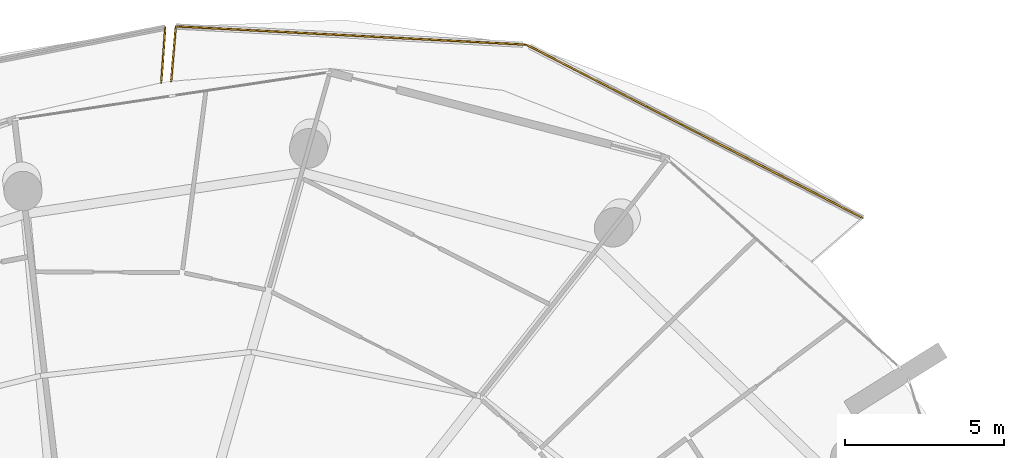
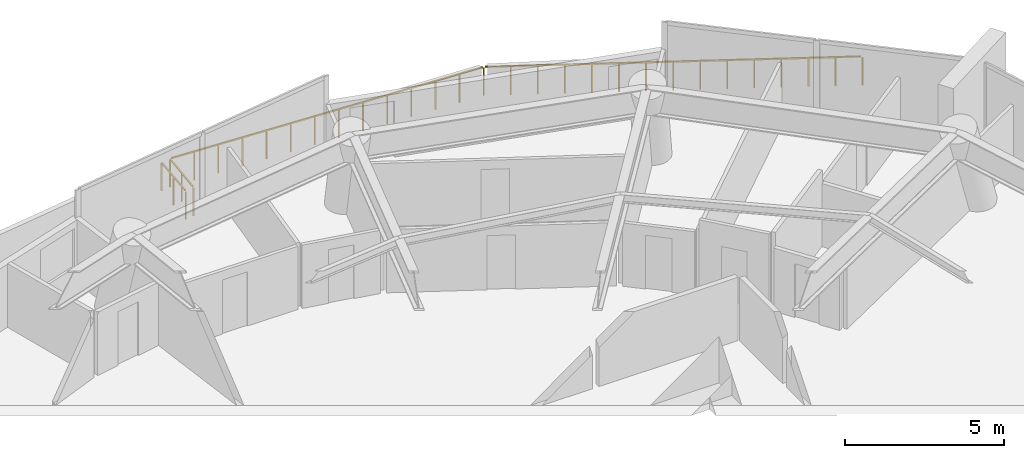
# One storey, part 23 of 23: 4 railings.
"""IFC4 building model written with IfcOpenShell, lengths in metres."""

import ifcopenshell
import ifcopenshell.guid

model = None  # the IFC model being written
_history = None  # IfcOwnerHistory: only IFC2X3 demands one
_inside = {}  # id of a spatial element -> (the spatial element, [elements in it])
_under = {}  # id of a project, library or spatial element -> (it, [spatial elements below it])
_declared = {}  # id of a project -> (the project, [libraries it declares])
_typed = {}  # id of a type object -> (the type object, [elements of that type])
_made_of = {}  # id of a material, layer set ... -> (it, [elements and type objects made of it])


def new_model(schema):
    """Start an empty IFC model of exactly this schema.

    Asked for "IFC4X3", IfcOpenShell would pick the latest addendum, in which some entities
    have other attributes; the version numbers below select the first issue.
    IFC2X3 requires an IfcOwnerHistory on every rooted entity: one is made here for all.
    """
    global model, _history
    if schema == "IFC4X3":
        model = ifcopenshell.file(schema_version=(4, 3, 0, 0))
    else:
        model = ifcopenshell.file(schema=schema)
    _inside.clear()
    _under.clear()
    _declared.clear()
    _typed.clear()
    _made_of.clear()
    _history = None
    if model.schema == "IFC2X3":
        org = make("IfcOrganization", Name="unknown")
        user = make(
            "IfcPersonAndOrganization",
            ThePerson=make("IfcPerson", FamilyName="unknown"),
            TheOrganization=org,
        )
        app = make(
            "IfcApplication",
            ApplicationDeveloper=org,
            Version="unknown",
            ApplicationFullName="unknown",
            ApplicationIdentifier="unknown",
        )
        _history = make(
            "IfcOwnerHistory",
            OwningUser=user,
            OwningApplication=app,
            ChangeAction="ADDED",
            CreationDate=0,
        )
    return model


def make(cls, **values):
    """One entity of the class cls with the attributes given. An attribute that is None is left unset."""
    return model.create_entity(
        cls, **{name: value for name, value in values.items() if value is not None}
    )


def rooted(cls, **values):
    """An entity with a GlobalId (a new one), such as an element, a storey or a relation."""
    return make(cls, GlobalId=ifcopenshell.guid.new(), OwnerHistory=_history, **values)


def si_unit(unit_type, name, prefix=None):
    """IfcSIUnit, for example si_unit("LENGTHUNIT", "METRE", prefix="MILLI")."""
    return make("IfcSIUnit", UnitType=unit_type, Prefix=prefix, Name=name)


def assignment(units):
    """IfcUnitAssignment: the units of a project."""
    return None if units is None else make("IfcUnitAssignment", Units=units)


def point(xyz):
    """IfcCartesianPoint."""
    return None if xyz is None else make("IfcCartesianPoint", Coordinates=xyz)


def direction(xyz):
    """IfcDirection."""
    return None if xyz is None else make("IfcDirection", DirectionRatios=xyz)


def frame(location, z_axis=None, x_axis=None):
    """IfcAxis2Placement3D, a coordinate frame: its origin and axes. An axis left out is left unset."""
    return make(
        "IfcAxis2Placement3D",
        Location=point(location),
        Axis=direction(z_axis),
        RefDirection=direction(x_axis),
    )


def frame_2d(location, x_axis=None):
    """IfcAxis2Placement2D, a coordinate frame in the plane: its origin and x axis."""
    return make(
        "IfcAxis2Placement2D", Location=point(location), RefDirection=direction(x_axis)
    )


def origin():
    """The frame at (0, 0, 0) with its axes left unset."""
    return frame((0.0, 0.0, 0.0))


def origin_2d():
    """The frame at (0, 0) in the plane with its x axis left unset."""
    return frame_2d((0.0, 0.0))


def place(relative_to, where):
    """IfcLocalPlacement: puts the frame where relative to a parent placement (None: the world)."""
    return make(
        "IfcLocalPlacement", PlacementRelTo=relative_to, RelativePlacement=where
    )


def context(
    kind, dimensions, precision=None, world=None, true_north=None, identifier=None
):
    """IfcGeometricRepresentationContext, for example the 3D "Model" context."""
    return make(
        "IfcGeometricRepresentationContext",
        ContextIdentifier=identifier,
        ContextType=kind,
        CoordinateSpaceDimension=dimensions,
        Precision=precision,
        WorldCoordinateSystem=world,
        TrueNorth=true_north,
    )


def subcontext(parent, identifier, kind, view, scale=None):
    """IfcGeometricRepresentationSubContext, for example "Body" below "Model"."""
    return make(
        "IfcGeometricRepresentationSubContext",
        ContextIdentifier=identifier,
        ContextType=kind,
        ParentContext=parent,
        TargetScale=scale,
        TargetView=view,
    )


def project(units=None, contexts=None):
    """IfcProject with its units and contexts."""
    return rooted(
        "IfcProject",
        Name="project",
        RepresentationContexts=contexts,
        UnitsInContext=assignment(units),
    )


def spatial(cls, under=None, at=None, **own):
    """A site, building, storey or space (cls), placed at a placement, below another one or the project."""
    s = rooted(cls, ObjectPlacement=at, **own)
    if under is not None:
        _under.setdefault(under.id(), (under, []))[1].append(s)
    return s


def profile(cls, at=None, kind="AREA", **sizes):
    """A parametric profile (cls). Its sizes go by their IFC names, for example OverallWidth=200.0."""
    return make(cls, ProfileType=kind, Position=at, **sizes)


def rectangle(**sizes):
    """IfcRectangleProfileDef."""
    return profile("IfcRectangleProfileDef", **sizes)


def extrude(swept, where, along, depth):
    """IfcExtrudedAreaSolid: the profile swept, set in the frame where, extruded along a direction by depth."""
    return make(
        "IfcExtrudedAreaSolid",
        SweptArea=swept,
        Position=where,
        ExtrudedDirection=direction(along),
        Depth=depth,
    )


def shape(context_of_items, identifier, shape_type, items):
    """IfcShapeRepresentation: the items that make up one representation, for example the "Body"."""
    return make(
        "IfcShapeRepresentation",
        ContextOfItems=context_of_items,
        RepresentationIdentifier=identifier,
        RepresentationType=shape_type,
        Items=items,
    )


def material(Name=None, Category=None):
    """IfcMaterial."""
    return make("IfcMaterial", Name=Name, Category=Category)


def made_of(thing, what):
    """Note that an element or type object is made of a material, layer set ...; save() writes the relation."""
    if what is not None:
        _made_of.setdefault(what.id(), (what, []))[1].append(thing)
    return thing


def type_object(cls, material=None, **own):
    """A type object (cls), such as IfcWallType, which elements share."""
    return made_of(rooted(cls, **own), material)


def element(
    cls,
    number,
    at=None,
    inside=None,
    cuts=None,
    type_object=None,
    material=None,
    context=None,
    identifier="Body",
    shape_type=None,
    held_by="IfcProductDefinitionShape",
    body=None,
    shapes=None,
    **own,
):
    """One element of the class cls, such as IfcWall. Its Tag is "e" and its number.

    at: its placement. inside: the storey or other place that contains it. cuts: it is an
    opening in that element (IfcRelVoidsElement). A single representation is given by context,
    identifier, shape_type and body (its items); several are given by shapes. held_by: the class
    of the entity that holds the representations. save() writes the other relations.
    """
    e = rooted(cls, Tag="e%d" % number, ObjectPlacement=at, **own)
    if body is not None:
        shapes = [shape(context, identifier, shape_type, body)]
    if shapes is not None:
        e.Representation = make(held_by, Representations=shapes)
    if inside is not None:
        _inside.setdefault(inside.id(), (inside, []))[1].append(e)
    if cuts is not None:
        rooted(
            "IfcRelVoidsElement", RelatingBuildingElement=cuts, RelatedOpeningElement=e
        )
    if type_object is not None:
        _typed.setdefault(type_object.id(), (type_object, []))[1].append(e)
    return made_of(e, material)


def aggregate(whole, parts):
    """IfcRelAggregates: a whole, such as a stair, and the parts it consists of."""
    return rooted("IfcRelAggregates", RelatingObject=whole, RelatedObjects=parts)


def save(model, path):
    """Write the relations noted so far, then the file.

    IfcRelAggregates (storeys below a building ...), IfcRelContainedInSpatialStructure (elements
    in a storey), IfcRelDefinesByType, IfcRelAssociatesMaterial and IfcRelDeclares: one each for
    every whole, place, type object, material and project.
    """
    for whole, parts in _under.values():
        aggregate(whole, parts)
    for where, things in _inside.values():
        rooted(
            "IfcRelContainedInSpatialStructure",
            RelatedElements=things,
            RelatingStructure=where,
        )
    for kind, things in _typed.values():
        rooted("IfcRelDefinesByType", RelatedObjects=things, RelatingType=kind)
    for what, things in _made_of.values():
        rooted("IfcRelAssociatesMaterial", RelatedObjects=things, RelatingMaterial=what)
    for by, libraries in _declared.values():
        rooted("IfcRelDeclares", RelatingContext=by, RelatedDefinitions=libraries)
    model.write(path)


model = new_model("IFC4")

# Units and contexts
model_context = context("Model", 3, precision=1e-05, world=origin(), true_north=direction((0.0, 1.0)))
body_context = subcontext(model_context, "Body", "Model", "MODEL_VIEW")
ifc_project = project(units=[si_unit("LENGTHUNIT", "METRE"), si_unit("AREAUNIT", "SQUARE_METRE"), si_unit("VOLUMEUNIT", "CUBIC_METRE"), si_unit("PLANEANGLEUNIT", "RADIAN"), si_unit("MASSUNIT", "GRAM", prefix="KILO")], contexts=[model_context])

# Site, building, storey
site_placement = place(None, origin())
site = spatial("IfcSite", under=ifc_project, at=site_placement, CompositionType="ELEMENT")
building_placement = place(site_placement, origin())
building = spatial("IfcBuilding", under=site, at=building_placement, Name="Kazma Halo Residences", CompositionType="ELEMENT")
storey_placement = place(building_placement, frame((0.0, 0.0, 112.64990234375)))
storey = spatial("IfcBuildingStorey", under=building, at=storey_placement, Name="L28", CompositionType="ELEMENT", Elevation=112.64990234375)

# Railings
ifc_material = material(Name="Aluminium AW-6063 T6 Brushed Cap Rail", Category="aluminium")
railing_type = type_object("IfcRailingType", Name="RLG-BAL-CAP-1120", PredefinedType="BALUSTRADE", material=ifc_material)
railing_1_placement = place(storey_placement, frame((71.92041015625, 62.68408203125, 0.0)))
element("IfcRailing", 1, at=railing_1_placement, inside=storey, type_object=railing_type, Name="L28 NE wave balcony guard 2", PredefinedType="BALUSTRADE", context=body_context, shape_type="SweptSolid", body=[
    extrude(rectangle(XDim=0.050048828125, YDim=0.050048828125, at=origin_2d()), frame((-0.037841796875, 0.01953125, 1.09521484375), z_axis=(-0.888977082513, 0.457951686062, 0.0), x_axis=(-0.457951686062, -0.888977082513, 0.0)), (0.0, 0.0, 1.0), 11.838134765625),
    extrude(rectangle(XDim=0.0400390625, YDim=0.0400390625, at=origin_2d()), origin(), (0.0, 0.0, 1.0), 1.05810546875),
    extrude(rectangle(XDim=0.0400390625, YDim=0.0400390625, at=origin_2d()), frame((-0.757080078125, 0.39013671875, 0.0)), (0.0, 0.0, 1.0), 1.05810546875),
    extrude(rectangle(XDim=0.0400390625, YDim=0.0400390625, at=origin_2d()), frame((-1.51416015625, 0.780029296875, 0.0)), (0.0, 0.0, 1.0), 1.05810546875),
    extrude(rectangle(XDim=0.0400390625, YDim=0.0400390625, at=origin_2d()), frame((-2.271240234375, 1.169921875, 0.0)), (0.0, 0.0, 1.0), 1.05810546875),
    extrude(rectangle(XDim=0.0400390625, YDim=0.0400390625, at=origin_2d()), frame((-3.0283203125, 1.56005859375, 0.0)), (0.0, 0.0, 1.0), 1.05810546875),
    extrude(rectangle(XDim=0.0400390625, YDim=0.0400390625, at=origin_2d()), frame((-3.785400390625, 1.9501953125, 0.0)), (0.0, 0.0, 1.0), 1.05810546875),
    extrude(rectangle(XDim=0.0400390625, YDim=0.0400390625, at=origin_2d()), frame((-4.54248046875, 2.340087890625, 0.0)), (0.0, 0.0, 1.0), 1.05810546875),
    extrude(rectangle(XDim=0.0400390625, YDim=0.0400390625, at=origin_2d()), frame((-5.2998046875, 2.72998046875, 0.0)), (0.0, 0.0, 1.0), 1.05810546875),
    extrude(rectangle(XDim=0.0400390625, YDim=0.0400390625, at=origin_2d()), frame((-6.056884765625, 3.1201171875, 0.0)), (0.0, 0.0, 1.0), 1.05810546875),
    extrude(rectangle(XDim=0.0400390625, YDim=0.0400390625, at=origin_2d()), frame((-6.81396484375, 3.51025390625, 0.0)), (0.0, 0.0, 1.0), 1.05810546875),
    extrude(rectangle(XDim=0.0400390625, YDim=0.0400390625, at=origin_2d()), frame((-7.571044921875, 3.900146484375, 0.0)), (0.0, 0.0, 1.0), 1.05810546875),
    extrude(rectangle(XDim=0.0400390625, YDim=0.0400390625, at=origin_2d()), frame((-8.328125, 4.2900390625, 0.0)), (0.0, 0.0, 1.0), 1.05810546875),
    extrude(rectangle(XDim=0.0400390625, YDim=0.0400390625, at=origin_2d()), frame((-9.085205078125, 4.68017578125, 0.0)), (0.0, 0.0, 1.0), 1.05810546875),
    extrude(rectangle(XDim=0.0400390625, YDim=0.0400390625, at=origin_2d()), frame((-9.84228515625, 5.0703125, 0.0)), (0.0, 0.0, 1.0), 1.05810546875),
    extrude(rectangle(XDim=0.0400390625, YDim=0.0400390625, at=origin_2d()), frame((-10.599365234375, 5.460205078125, 0.0)), (0.0, 0.0, 1.0), 1.05810546875),
])
railing_2_placement = place(storey_placement, frame((61.321044921875, 68.144287109375, 0.0)))
element("IfcRailing", 2, at=railing_2_placement, inside=storey, type_object=railing_type, Name="L28 NE wave balcony guard 3", PredefinedType="BALUSTRADE", context=body_context, shape_type="SweptSolid", body=[
    extrude(rectangle(XDim=0.050048828125, YDim=0.050048828125, at=origin_2d()), frame((-0.04248046875, 0.002197265625, 1.09521484375), z_axis=(-0.998638528459, 0.052164063076, 0.0), x_axis=(-0.052164063076, -0.998638528459, 0.0)), (0.0, 0.0, 1.0), 10.983642578125),
    extrude(rectangle(XDim=0.0400390625, YDim=0.0400390625, at=origin_2d()), origin(), (0.0, 0.0, 1.0), 1.05810546875),
    extrude(rectangle(XDim=0.0400390625, YDim=0.0400390625, at=origin_2d()), frame((-0.850341796875, 0.04443359375, 0.0)), (0.0, 0.0, 1.0), 1.05810546875),
    extrude(rectangle(XDim=0.0400390625, YDim=0.0400390625, at=origin_2d()), frame((-1.70068359375, 0.0888671875, 0.0)), (0.0, 0.0, 1.0), 1.05810546875),
    extrude(rectangle(XDim=0.0400390625, YDim=0.0400390625, at=origin_2d()), frame((-2.55078125, 0.13330078125, 0.0)), (0.0, 0.0, 1.0), 1.05810546875),
    extrude(rectangle(XDim=0.0400390625, YDim=0.0400390625, at=origin_2d()), frame((-3.401123046875, 0.177734375, 0.0)), (0.0, 0.0, 1.0), 1.05810546875),
    extrude(rectangle(XDim=0.0400390625, YDim=0.0400390625, at=origin_2d()), frame((-4.25146484375, 0.22216796875, 0.0)), (0.0, 0.0, 1.0), 1.05810546875),
    extrude(rectangle(XDim=0.0400390625, YDim=0.0400390625, at=origin_2d()), frame((-5.101806640625, 0.2666015625, 0.0)), (0.0, 0.0, 1.0), 1.05810546875),
    extrude(rectangle(XDim=0.0400390625, YDim=0.0400390625, at=origin_2d()), frame((-5.951904296875, 0.310791015625, 0.0)), (0.0, 0.0, 1.0), 1.05810546875),
    extrude(rectangle(XDim=0.0400390625, YDim=0.0400390625, at=origin_2d()), frame((-6.80224609375, 0.355224609375, 0.0)), (0.0, 0.0, 1.0), 1.05810546875),
    extrude(rectangle(XDim=0.0400390625, YDim=0.0400390625, at=origin_2d()), frame((-7.652587890625, 0.399658203125, 0.0)), (0.0, 0.0, 1.0), 1.05810546875),
    extrude(rectangle(XDim=0.0400390625, YDim=0.0400390625, at=origin_2d()), frame((-8.5029296875, 0.444091796875, 0.0)), (0.0, 0.0, 1.0), 1.05810546875),
    extrude(rectangle(XDim=0.0400390625, YDim=0.0400390625, at=origin_2d()), frame((-9.35302734375, 0.488525390625, 0.0)), (0.0, 0.0, 1.0), 1.05810546875),
    extrude(rectangle(XDim=0.0400390625, YDim=0.0400390625, at=origin_2d()), frame((-10.203369140625, 0.532958984375, 0.0)), (0.0, 0.0, 1.0), 1.05810546875),
    extrude(rectangle(XDim=0.0400390625, YDim=0.0400390625, at=origin_2d()), frame((-11.0537109375, 0.577392578125, 0.0)), (0.0, 0.0, 1.0), 1.05810546875),
])
railing_3_placement = place(storey_placement, frame((50.267333984375, 68.7216796875, 0.0)))
element("IfcRailing", 3, at=railing_3_placement, inside=storey, type_object=railing_type, Name="L28 NE wave balcony guard 4", PredefinedType="BALUSTRADE", context=body_context, shape_type="SweptSolid", body=[
    extrude(rectangle(XDim=0.050048828125, YDim=0.050048828125, at=origin_2d()), frame((-0.003662109375, -0.04248046875, 1.09521484375), z_axis=(-0.084547240247, -0.996419471993, 0.0), x_axis=(0.996419471993, -0.084547240247, 0.0)), (0.0, 0.0, 1.0), 1.650390625),
    extrude(rectangle(XDim=0.0400390625, YDim=0.0400390625, at=origin_2d()), origin(), (0.0, 0.0, 1.0), 1.05810546875),
    extrude(rectangle(XDim=0.0400390625, YDim=0.0400390625, at=origin_2d()), frame((-0.0732421875, -0.86474609375, 0.0)), (0.0, 0.0, 1.0), 1.05810546875),
    extrude(rectangle(XDim=0.0400390625, YDim=0.0400390625, at=origin_2d()), frame((-0.146728515625, -1.729248046875, 0.0)), (0.0, 0.0, 1.0), 1.05810546875),
])
railing_4_placement = place(storey_placement, frame((49.81005859375, 66.94580078125, 0.0)))
element("IfcRailing", 4, at=railing_4_placement, inside=storey, type_object=railing_type, Name="L28 NNW wave balcony guard 1", PredefinedType="BALUSTRADE", context=body_context, shape_type="SweptSolid", body=[
    extrude(rectangle(XDim=0.050048828125, YDim=0.050048828125, at=origin_2d()), frame((0.003173828125, 0.04248046875, 1.09521484375), z_axis=(0.072361028195, 0.99737850468, 0.0), x_axis=(-0.99737850468, 0.072361028195, 0.0)), (0.0, 0.0, 1.0), 1.6591796875),
    extrude(rectangle(XDim=0.0400390625, YDim=0.0400390625, at=origin_2d()), origin(), (0.0, 0.0, 1.0), 1.05810546875),
    extrude(rectangle(XDim=0.0400390625, YDim=0.0400390625, at=origin_2d()), frame((0.06298828125, 0.869873046875, 0.0)), (0.0, 0.0, 1.0), 1.05810546875),
    extrude(rectangle(XDim=0.0400390625, YDim=0.0400390625, at=origin_2d()), frame((0.126220703125, 1.73974609375, 0.0)), (0.0, 0.0, 1.0), 1.05810546875),
])

save(model, "model.ifc")
